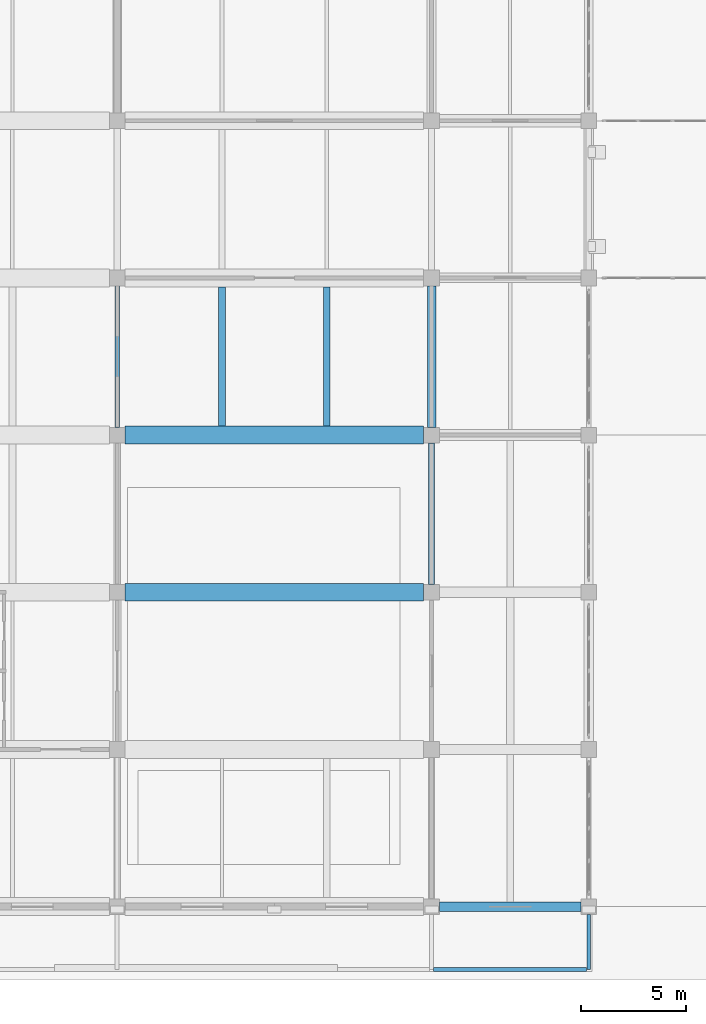
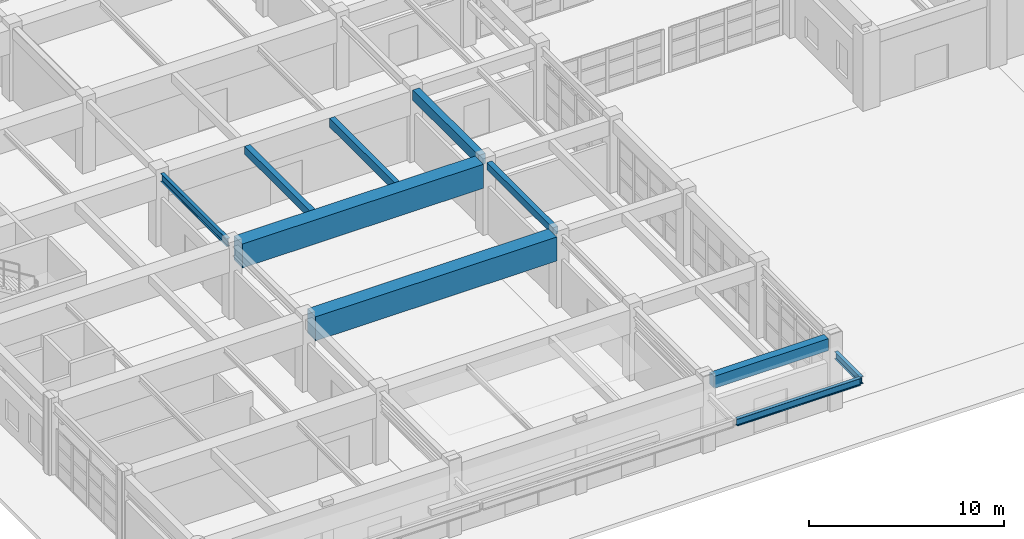
# One storey, part 7 of 122: 10 beams.
"""IFC4 building model written with IfcOpenShell, lengths in metres."""

from ifc_helpers import new_model, si_unit, direction, frame, origin, origin_2d, place, context, subcontext, project, spatial, rectangle, i_section, extrude, material, material_profile, profile_set, type_object, element, save


model = new_model("IFC4")

# Units and contexts
model_context = context("Model", 3, precision=1e-05, world=origin(), true_north=direction((0.0, 1.0)))
body_context = subcontext(model_context, "Body", "Model", "MODEL_VIEW")
ifc_project = project(units=[si_unit("LENGTHUNIT", "METRE"), si_unit("AREAUNIT", "SQUARE_METRE"), si_unit("VOLUMEUNIT", "CUBIC_METRE"), si_unit("PLANEANGLEUNIT", "RADIAN"), si_unit("MASSUNIT", "GRAM", prefix="KILO")], contexts=[model_context])

# Site, building, storey
site_placement = place(None, origin())
site = spatial("IfcSite", under=ifc_project, at=site_placement, CompositionType="ELEMENT")
building_placement = place(site_placement, origin())
building = spatial("IfcBuilding", under=site, at=building_placement, Name="Qasida Concert Hall", CompositionType="ELEMENT")
storey_placement = place(building_placement, origin())
storey = spatial("IfcBuildingStorey", under=building, at=storey_placement, Name="L00", CompositionType="ELEMENT", Elevation=0.0)

# Beams
ifc_material_1 = material(Name="Concrete C40/50", Category="concrete")
ifc_material_profile_1 = material_profile(ifc_material_1, rectangle(XDim=0.39990234375, YDim=0.64990234375, at=origin_2d()), Name="RC 400x650")
ifc_profile_set_1 = profile_set([ifc_material_profile_1], Name="Concrete C40/50")
beam_type_1 = type_object("IfcBeamType", Name="BM-B1", PredefinedType="BEAM", material=ifc_profile_set_1)
beam_1_placement = place(storey_placement, frame((30.0, 22.875, 4.175048828125), z_axis=(0.0, 1.0, 0.0), x_axis=(-1.0, 0.0, 0.0)))
element("IfcBeam", 1, at=beam_1_placement, inside=storey, type_object=beam_type_1, Name="L00 girder 0549", PredefinedType="BEAM", context=body_context, shape_type="SweptSolid", body=[
    extrude(rectangle(XDim=0.39990234375, YDim=0.64990234375, at=origin_2d()), origin(), (0.0, 0.0, 1.0), 6.75),
])
ifc_material_profile_2 = material_profile(ifc_material_1, rectangle(XDim=0.300048828125, YDim=0.449951171875, at=origin_2d()), Name="RC 300x450")
ifc_profile_set_2 = profile_set([ifc_material_profile_2], Name="Concrete C40/50")
beam_type_2 = type_object("IfcBeamType", Name="BM-B3", PredefinedType="BEAM", material=ifc_profile_set_2)
beam_2_placement = place(storey_placement, frame((30.0, 15.375, 4.27490234375), z_axis=(0.0, 1.0, 0.0), x_axis=(-1.0, 0.0, 0.0)))
element("IfcBeam", 2, at=beam_2_placement, inside=storey, type_object=beam_type_2, Name="L00 girder 0548", PredefinedType="BEAM", context=body_context, shape_type="SweptSolid", body=[
    extrude(rectangle(XDim=0.300048828125, YDim=0.449951171875, at=origin_2d()), origin(), (0.0, 0.0, 1.0), 6.75),
])
ifc_material_2 = material(Name="Steel S355J2", Category="steel")
ifc_material_profile_3 = material_profile(ifc_material_2, i_section(OverallWidth=0.199951171875, OverallDepth=0.5, WebThickness=0.01025390625, FlangeThickness=0.01611328125, FilletRadius=0.02099609375, at=origin_2d()), Name="IPE 500")
ifc_profile_set_3 = profile_set([ifc_material_profile_3], Name="Steel S355J2")
beam_type_3 = type_object("IfcBeamType", Name="BM-B4", PredefinedType="BEAM", material=ifc_profile_set_3)
beam_3_placement = place(storey_placement, frame((15.0, 22.875, 4.25), z_axis=(0.0, 1.0, 0.0), x_axis=(-1.0, 0.0, 0.0)))
element("IfcBeam", 3, at=beam_3_placement, inside=storey, type_object=beam_type_3, Name="L00 girder 0542", PredefinedType="BEAM", context=body_context, shape_type="SweptSolid", body=[
    extrude(i_section(OverallWidth=0.199951171875, OverallDepth=0.5, WebThickness=0.01025390625, FlangeThickness=0.01611328125, FilletRadius=0.02099609375, at=origin_2d()), origin(), (0.0, 0.0, 1.0), 6.75),
])
ifc_material_profile_4 = material_profile(ifc_material_2, i_section(OverallWidth=0.18994140625, OverallDepth=0.449951171875, WebThickness=0.009521484375, FlangeThickness=0.0146484375, FilletRadius=0.02099609375, at=origin_2d()), Name="IPE 450")
ifc_profile_set_4 = profile_set([ifc_material_profile_4], Name="Steel S355J2")
beam_type_4 = type_object("IfcBeamType", Name="BM-B5", PredefinedType="BEAM", material=ifc_profile_set_4)
beam_4_placement = place(storey_placement, frame((37.5, -0.375, 3.449951171875), z_axis=(0.0, -1.0, 0.0), x_axis=(1.0, 0.0, 0.0)))
element("IfcBeam", 4, at=beam_4_placement, inside=storey, type_object=beam_type_4, Name="Grand foyer marquee outrigger beam MRQ-V3-375", PredefinedType="BEAM", context=body_context, shape_type="SweptSolid", body=[
    extrude(i_section(OverallWidth=0.18994140625, OverallDepth=0.449951171875, WebThickness=0.009521484375, FlangeThickness=0.0146484375, FilletRadius=0.02099609375, at=origin_2d()), origin(), (0.0, 0.0, 1.0), 2.625),
])
beam_5_placement = place(storey_placement, frame((30.10009765625, -3.0, 3.449951171875), z_axis=(1.0, 0.0, 0.0), x_axis=(0.0, 1.0, 0.0)))
element("IfcBeam", 5, at=beam_5_placement, inside=storey, type_object=beam_type_4, Name="Grand foyer marquee fascia beam MRQF-V3-3", PredefinedType="BEAM", context=body_context, shape_type="SweptSolid", body=[
    extrude(i_section(OverallWidth=0.18994140625, OverallDepth=0.449951171875, WebThickness=0.009521484375, FlangeThickness=0.0146484375, FilletRadius=0.02099609375, at=origin_2d()), origin(), (0.0, 0.0, 1.0), 7.2998046875),
])
ifc_material_profile_5 = material_profile(ifc_material_1, rectangle(XDim=0.300048828125, YDim=0.550048828125, at=origin_2d()), Name="RC 300x550")
ifc_profile_set_5 = profile_set([ifc_material_profile_5], Name="Concrete C40/50")
beam_type_5 = type_object("IfcBeamType", Name="BM-J1", PredefinedType="JOIST", material=ifc_profile_set_5)
beam_6_placement = place(storey_placement, frame((25.0, 22.925048828125, 4.22509765625), z_axis=(0.0, 1.0, 0.0), x_axis=(-1.0, 0.0, 0.0)))
element("IfcBeam", 6, at=beam_6_placement, inside=storey, type_object=beam_type_5, Name="L00 secondary joist 0575", PredefinedType="JOIST", context=body_context, shape_type="SweptSolid", body=[
    extrude(rectangle(XDim=0.300048828125, YDim=0.550048828125, at=origin_2d()), origin(), (0.0, 0.0, 1.0), 6.64990234375),
])
ifc_material_profile_6 = material_profile(ifc_material_1, rectangle(XDim=0.320068359375, YDim=0.5, at=origin_2d()), Name="RC 320x500")
ifc_profile_set_6 = profile_set([ifc_material_profile_6], Name="Concrete C40/50")
beam_type_6 = type_object("IfcBeamType", Name="BM-J7", PredefinedType="JOIST", material=ifc_profile_set_6)
beam_7_placement = place(storey_placement, frame((20.0, 22.925048828125, 4.25), z_axis=(0.0, 1.0, 0.0), x_axis=(-1.0, 0.0, 0.0)))
element("IfcBeam", 7, at=beam_7_placement, inside=storey, type_object=beam_type_6, Name="L00 secondary joist 0574", PredefinedType="JOIST", context=body_context, shape_type="SweptSolid", body=[
    extrude(rectangle(XDim=0.320068359375, YDim=0.5, at=origin_2d()), origin(), (0.0, 0.0, 1.0), 6.64990234375),
])
ifc_material_profile_7 = material_profile(ifc_material_1, rectangle(XDim=0.449951171875, YDim=0.75, at=origin_2d()), Name="RC 450x750")
ifc_profile_set_7 = profile_set([ifc_material_profile_7], Name="Concrete C40/50")
beam_type_7 = type_object("IfcBeamType", Name="BM-SP4", PredefinedType="SPANDREL", material=ifc_profile_set_7)
beam_8_placement = place(storey_placement, frame((30.375, 0.0, 4.125), z_axis=(1.0, 0.0, 0.0), x_axis=(0.0, 1.0, 0.0)))
element("IfcBeam", 8, at=beam_8_placement, inside=storey, type_object=beam_type_7, Name="Primary girder 0510", PredefinedType="SPANDREL", context=body_context, shape_type="SweptSolid", body=[
    extrude(rectangle(XDim=0.449951171875, YDim=0.75, at=origin_2d()), origin(), (0.0, 0.0, 1.0), 6.75),
])
ifc_material_3 = material(Name="Concrete C50/60", Category="concrete")
ifc_material_profile_8 = material_profile(ifc_material_3, rectangle(XDim=0.85009765625, YDim=1.5, at=origin_2d()), Name="RC 850x1500")
ifc_profile_set_8 = profile_set([ifc_material_profile_8], Name="Concrete C50/60")
beam_type_8 = type_object("IfcBeamType", Name="BM-TG2", PredefinedType="USERDEFINED", material=ifc_profile_set_8)
for number, where, z_axis, x_axis, name in (
    (9, (15.375, 15.0, 3.75), (1.0, 0.0, 0.0), (0.0, 1.0, 0.0), "Transfer girder TG-0515"),
    (10, (15.375, 22.5, 3.75), (1.0, 0.0, 0.0), (0.0, 1.0, 0.0), "Transfer girder TG-0518"),
):
    element("IfcBeam", number, at=place(storey_placement, frame(where, z_axis=z_axis, x_axis=x_axis)), inside=storey, type_object=beam_type_8, Name=name, ObjectType="GIRDER", PredefinedType="USERDEFINED", context=body_context, shape_type="SweptSolid", body=[
        extrude(rectangle(XDim=0.85009765625, YDim=1.5, at=origin_2d()), origin(), (0.0, 0.0, 1.0), 14.25),
    ])

save(model, "model.ifc")
